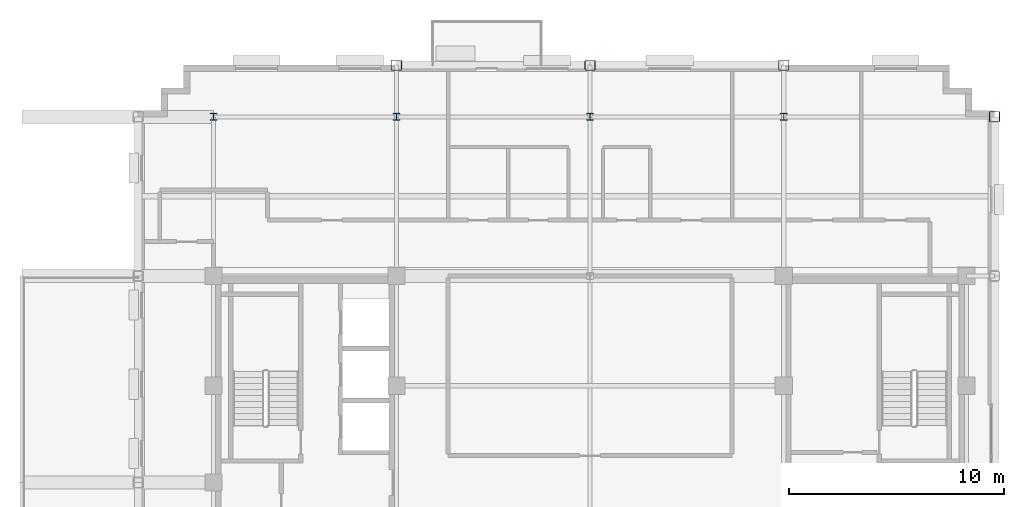
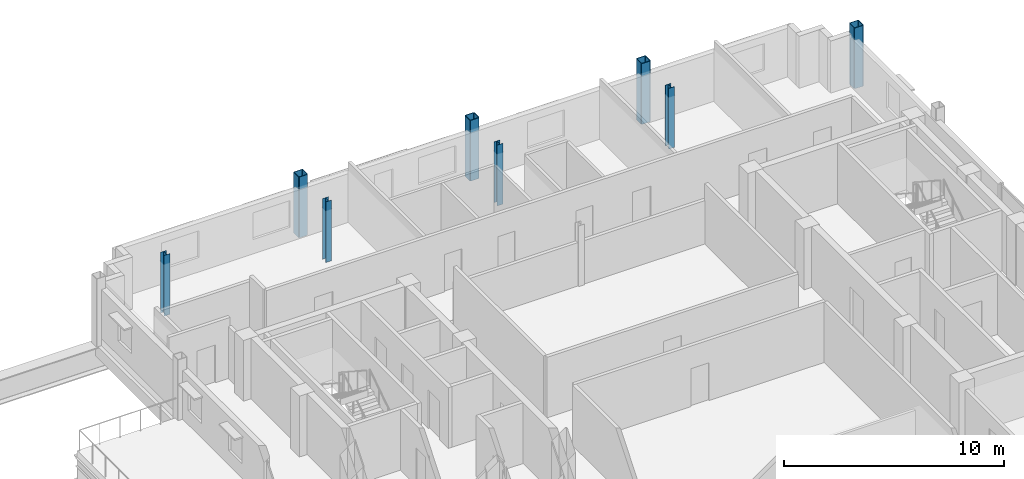
# One storey, part 3 of 14: 8 columns.
"""IFC4 building model written with IfcOpenShell, lengths in metres."""

import ifcopenshell
import ifcopenshell.guid

model = None  # the IFC model being written
_history = None  # IfcOwnerHistory: only IFC2X3 demands one
_inside = {}  # id of a spatial element -> (the spatial element, [elements in it])
_under = {}  # id of a project, library or spatial element -> (it, [spatial elements below it])
_declared = {}  # id of a project -> (the project, [libraries it declares])
_typed = {}  # id of a type object -> (the type object, [elements of that type])
_made_of = {}  # id of a material, layer set ... -> (it, [elements and type objects made of it])


def new_model(schema):
    """Start an empty IFC model of exactly this schema.

    Asked for "IFC4X3", IfcOpenShell would pick the latest addendum, in which some entities
    have other attributes; the version numbers below select the first issue.
    IFC2X3 requires an IfcOwnerHistory on every rooted entity: one is made here for all.
    """
    global model, _history
    if schema == "IFC4X3":
        model = ifcopenshell.file(schema_version=(4, 3, 0, 0))
    else:
        model = ifcopenshell.file(schema=schema)
    _inside.clear()
    _under.clear()
    _declared.clear()
    _typed.clear()
    _made_of.clear()
    _history = None
    if model.schema == "IFC2X3":
        org = make("IfcOrganization", Name="unknown")
        user = make(
            "IfcPersonAndOrganization",
            ThePerson=make("IfcPerson", FamilyName="unknown"),
            TheOrganization=org,
        )
        app = make(
            "IfcApplication",
            ApplicationDeveloper=org,
            Version="unknown",
            ApplicationFullName="unknown",
            ApplicationIdentifier="unknown",
        )
        _history = make(
            "IfcOwnerHistory",
            OwningUser=user,
            OwningApplication=app,
            ChangeAction="ADDED",
            CreationDate=0,
        )
    return model


def make(cls, **values):
    """One entity of the class cls with the attributes given. An attribute that is None is left unset."""
    return model.create_entity(
        cls, **{name: value for name, value in values.items() if value is not None}
    )


def rooted(cls, **values):
    """An entity with a GlobalId (a new one), such as an element, a storey or a relation."""
    return make(cls, GlobalId=ifcopenshell.guid.new(), OwnerHistory=_history, **values)


def si_unit(unit_type, name, prefix=None):
    """IfcSIUnit, for example si_unit("LENGTHUNIT", "METRE", prefix="MILLI")."""
    return make("IfcSIUnit", UnitType=unit_type, Prefix=prefix, Name=name)


def assignment(units):
    """IfcUnitAssignment: the units of a project."""
    return None if units is None else make("IfcUnitAssignment", Units=units)


def point(xyz):
    """IfcCartesianPoint."""
    return None if xyz is None else make("IfcCartesianPoint", Coordinates=xyz)


def direction(xyz):
    """IfcDirection."""
    return None if xyz is None else make("IfcDirection", DirectionRatios=xyz)


def frame(location, z_axis=None, x_axis=None):
    """IfcAxis2Placement3D, a coordinate frame: its origin and axes. An axis left out is left unset."""
    return make(
        "IfcAxis2Placement3D",
        Location=point(location),
        Axis=direction(z_axis),
        RefDirection=direction(x_axis),
    )


def frame_2d(location, x_axis=None):
    """IfcAxis2Placement2D, a coordinate frame in the plane: its origin and x axis."""
    return make(
        "IfcAxis2Placement2D", Location=point(location), RefDirection=direction(x_axis)
    )


def origin():
    """The frame at (0, 0, 0) with its axes left unset."""
    return frame((0.0, 0.0, 0.0))


def origin_2d():
    """The frame at (0, 0) in the plane with its x axis left unset."""
    return frame_2d((0.0, 0.0))


def place(relative_to, where):
    """IfcLocalPlacement: puts the frame where relative to a parent placement (None: the world)."""
    return make(
        "IfcLocalPlacement", PlacementRelTo=relative_to, RelativePlacement=where
    )


def context(
    kind, dimensions, precision=None, world=None, true_north=None, identifier=None
):
    """IfcGeometricRepresentationContext, for example the 3D "Model" context."""
    return make(
        "IfcGeometricRepresentationContext",
        ContextIdentifier=identifier,
        ContextType=kind,
        CoordinateSpaceDimension=dimensions,
        Precision=precision,
        WorldCoordinateSystem=world,
        TrueNorth=true_north,
    )


def subcontext(parent, identifier, kind, view, scale=None):
    """IfcGeometricRepresentationSubContext, for example "Body" below "Model"."""
    return make(
        "IfcGeometricRepresentationSubContext",
        ContextIdentifier=identifier,
        ContextType=kind,
        ParentContext=parent,
        TargetScale=scale,
        TargetView=view,
    )


def project(units=None, contexts=None):
    """IfcProject with its units and contexts."""
    return rooted(
        "IfcProject",
        Name="project",
        RepresentationContexts=contexts,
        UnitsInContext=assignment(units),
    )


def spatial(cls, under=None, at=None, **own):
    """A site, building, storey or space (cls), placed at a placement, below another one or the project."""
    s = rooted(cls, ObjectPlacement=at, **own)
    if under is not None:
        _under.setdefault(under.id(), (under, []))[1].append(s)
    return s


def profile(cls, at=None, kind="AREA", **sizes):
    """A parametric profile (cls). Its sizes go by their IFC names, for example OverallWidth=200.0."""
    return make(cls, ProfileType=kind, Position=at, **sizes)


def hollow_rectangle(**sizes):
    """IfcRectangleHollowProfileDef."""
    return profile("IfcRectangleHollowProfileDef", **sizes)


def i_section(**sizes):
    """IfcIShapeProfileDef."""
    return profile("IfcIShapeProfileDef", **sizes)


def extrude(swept, where, along, depth):
    """IfcExtrudedAreaSolid: the profile swept, set in the frame where, extruded along a direction by depth."""
    return make(
        "IfcExtrudedAreaSolid",
        SweptArea=swept,
        Position=where,
        ExtrudedDirection=direction(along),
        Depth=depth,
    )


def shape(context_of_items, identifier, shape_type, items):
    """IfcShapeRepresentation: the items that make up one representation, for example the "Body"."""
    return make(
        "IfcShapeRepresentation",
        ContextOfItems=context_of_items,
        RepresentationIdentifier=identifier,
        RepresentationType=shape_type,
        Items=items,
    )


def material(Name=None, Category=None):
    """IfcMaterial."""
    return make("IfcMaterial", Name=Name, Category=Category)


def material_profile(
    of_material, cross_section, Name=None, Category=None, Priority=None
):
    """IfcMaterialProfile: a cross section and its material."""
    return make(
        "IfcMaterialProfile",
        Name=Name,
        Material=of_material,
        Profile=cross_section,
        Priority=Priority,
        Category=Category,
    )


def profile_set(profiles, Name=None, composite=None):
    """IfcMaterialProfileSet."""
    return make(
        "IfcMaterialProfileSet",
        Name=Name,
        MaterialProfiles=profiles,
        CompositeProfile=composite,
    )


def made_of(thing, what):
    """Note that an element or type object is made of a material, layer set ...; save() writes the relation."""
    if what is not None:
        _made_of.setdefault(what.id(), (what, []))[1].append(thing)
    return thing


def type_object(cls, material=None, **own):
    """A type object (cls), such as IfcWallType, which elements share."""
    return made_of(rooted(cls, **own), material)


def element(
    cls,
    number,
    at=None,
    inside=None,
    cuts=None,
    type_object=None,
    material=None,
    context=None,
    identifier="Body",
    shape_type=None,
    held_by="IfcProductDefinitionShape",
    body=None,
    shapes=None,
    **own,
):
    """One element of the class cls, such as IfcWall. Its Tag is "e" and its number.

    at: its placement. inside: the storey or other place that contains it. cuts: it is an
    opening in that element (IfcRelVoidsElement). A single representation is given by context,
    identifier, shape_type and body (its items); several are given by shapes. held_by: the class
    of the entity that holds the representations. save() writes the other relations.
    """
    e = rooted(cls, Tag="e%d" % number, ObjectPlacement=at, **own)
    if body is not None:
        shapes = [shape(context, identifier, shape_type, body)]
    if shapes is not None:
        e.Representation = make(held_by, Representations=shapes)
    if inside is not None:
        _inside.setdefault(inside.id(), (inside, []))[1].append(e)
    if cuts is not None:
        rooted(
            "IfcRelVoidsElement", RelatingBuildingElement=cuts, RelatedOpeningElement=e
        )
    if type_object is not None:
        _typed.setdefault(type_object.id(), (type_object, []))[1].append(e)
    return made_of(e, material)


def aggregate(whole, parts):
    """IfcRelAggregates: a whole, such as a stair, and the parts it consists of."""
    return rooted("IfcRelAggregates", RelatingObject=whole, RelatedObjects=parts)


def save(model, path):
    """Write the relations noted so far, then the file.

    IfcRelAggregates (storeys below a building ...), IfcRelContainedInSpatialStructure (elements
    in a storey), IfcRelDefinesByType, IfcRelAssociatesMaterial and IfcRelDeclares: one each for
    every whole, place, type object, material and project.
    """
    for whole, parts in _under.values():
        aggregate(whole, parts)
    for where, things in _inside.values():
        rooted(
            "IfcRelContainedInSpatialStructure",
            RelatedElements=things,
            RelatingStructure=where,
        )
    for kind, things in _typed.values():
        rooted("IfcRelDefinesByType", RelatedObjects=things, RelatingType=kind)
    for what, things in _made_of.values():
        rooted("IfcRelAssociatesMaterial", RelatedObjects=things, RelatingMaterial=what)
    for by, libraries in _declared.values():
        rooted("IfcRelDeclares", RelatingContext=by, RelatedDefinitions=libraries)
    model.write(path)


model = new_model("IFC4")

# Units and contexts
model_context = context("Model", 3, precision=1e-05, world=origin(), true_north=direction((0.0, 1.0)))
body_context = subcontext(model_context, "Body", "Model", "MODEL_VIEW")
ifc_project = project(units=[si_unit("LENGTHUNIT", "METRE"), si_unit("AREAUNIT", "SQUARE_METRE"), si_unit("VOLUMEUNIT", "CUBIC_METRE"), si_unit("PLANEANGLEUNIT", "RADIAN"), si_unit("MASSUNIT", "GRAM", prefix="KILO")], contexts=[model_context])

# Site, building, storey
site_placement = place(None, origin())
site = spatial("IfcSite", under=ifc_project, at=site_placement, CompositionType="ELEMENT")
building_placement = place(site_placement, origin())
building = spatial("IfcBuilding", under=site, at=building_placement, Name="Nuvemarco Arch Tower", CompositionType="ELEMENT")
storey_placement = place(building_placement, frame((0.0, 0.0, 245.64990234375)))
storey = spatial("IfcBuildingStorey", under=building, at=storey_placement, Name="L65", CompositionType="ELEMENT", Elevation=245.64990234375)

# Columns
ifc_material = material(Name="Steel S355", Category="steel")
ifc_material_profile_1 = material_profile(ifc_material, hollow_rectangle(XDim=0.5, YDim=0.5, WallThickness=0.031982421875, InnerFilletRadius=0.031982421875, OuterFilletRadius=0.06396484375, at=origin_2d()), Name="SHS500x500x32")
ifc_profile_set_1 = profile_set([ifc_material_profile_1], Name="Steel S355")
column_type_1 = type_object("IfcColumnType", Name="COL-EXO-500", PredefinedType="COLUMN", material=ifc_profile_set_1)
for number, where, z_axis, x_axis, name in (
    (1, (18.800048828125, 17.0, 0.0), (0.0, 0.0, 1.0), (1.0, 0.0, 0.0), "L65 column CX_+18.8_+17.0"),
    (2, (-9.0, 19.39990234375, 0.0), (0.0, 0.0, 1.0), (1.0, 0.0, 0.0), "L65 column CY_-9.0_+19.4"),
    (3, (0.0, 19.39990234375, 0.0), (0.0, 0.0, 1.0), (1.0, 0.0, 0.0), "L65 column CY_+0.0_+19.4"),
    (4, (9.0, 19.39990234375, 0.0), (0.0, 0.0, 1.0), (1.0, 0.0, 0.0), "L65 column CY_+9.0_+19.4"),
):
    element("IfcColumn", number, at=place(storey_placement, frame(where, z_axis=z_axis, x_axis=x_axis)), inside=storey, type_object=column_type_1, Name=name, PredefinedType="COLUMN", context=body_context, shape_type="SweptSolid", body=[
        extrude(hollow_rectangle(XDim=0.5, YDim=0.5, WallThickness=0.031982421875, InnerFilletRadius=0.031982421875, OuterFilletRadius=0.06396484375, at=origin_2d()), origin(), (0.0, 0.0, 1.0), 3.3701171875),
    ])
ifc_material_profile_2 = material_profile(ifc_material, i_section(OverallWidth=0.31005859375, OverallDepth=0.31005859375, WebThickness=0.015380859375, FlangeThickness=0.015380859375, FilletRadius=0.014892578125, at=origin_2d()), Name="HP310x110")
ifc_profile_set_2 = profile_set([ifc_material_profile_2], Name="Steel S355")
column_type_2 = type_object("IfcColumnType", Name="COL-STL-HP310", PredefinedType="COLUMN", material=ifc_profile_set_2)
for number, where, z_axis, x_axis, name in (
    (5, (0.0, 17.0, 0.0), (0.0, 0.0, 1.0), (1.0, 0.0, 0.0), "L65 column CI_+0.0_+17.0"),
    (6, (-17.5, 17.0, 0.0), (0.0, 0.0, 1.0), (1.0, 0.0, 0.0), "L65 column CI_-17.5_+17.0"),
    (7, (-9.0, 17.0, 0.0), (0.0, 0.0, 1.0), (1.0, 0.0, 0.0), "L65 column CI_-9.0_+17.0"),
    (8, (9.0, 17.0, 0.0), (0.0, 0.0, 1.0), (1.0, 0.0, 0.0), "L65 column CI_+9.0_+17.0"),
):
    element("IfcColumn", number, at=place(storey_placement, frame(where, z_axis=z_axis, x_axis=x_axis)), inside=storey, type_object=column_type_2, Name=name, PredefinedType="COLUMN", context=body_context, shape_type="SweptSolid", body=[
        extrude(i_section(OverallWidth=0.31005859375, OverallDepth=0.31005859375, WebThickness=0.015380859375, FlangeThickness=0.015380859375, FilletRadius=0.014892578125, at=origin_2d()), origin(), (0.0, 0.0, 1.0), 3.3701171875),
    ])

save(model, "model.ifc")
